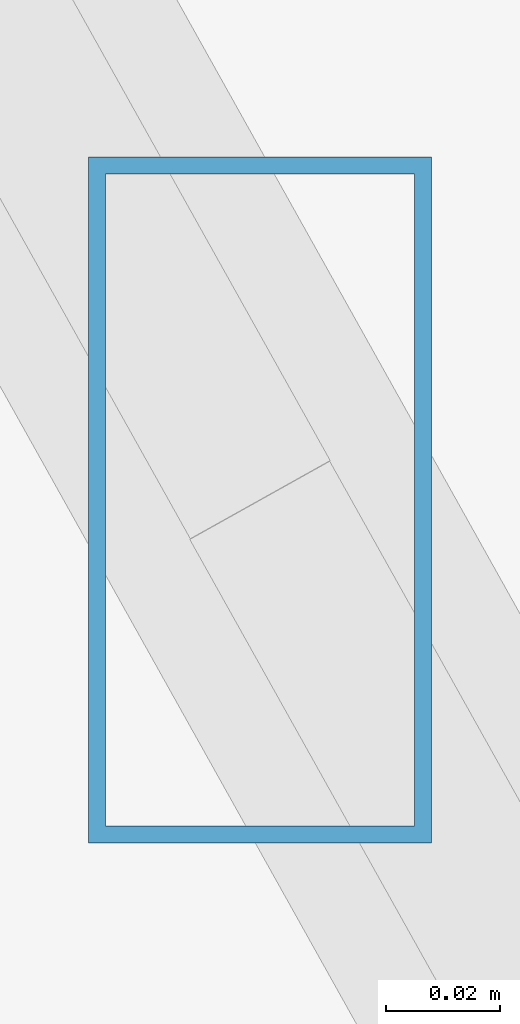
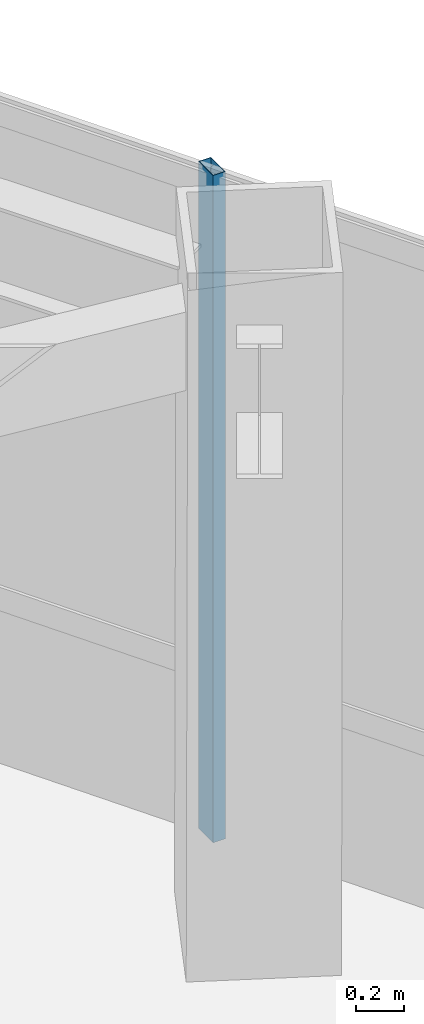
# One storey, part 23 of 45: 1 member, 1 element without a shape of its own.
"""IFC4 building model written with IfcOpenShell, lengths in metres."""

from ifc_helpers import new_model, si_unit, direction, frame, origin, origin_2d, place, context, subcontext, project, spatial, hollow_rectangle, extrude, source, transform, mapped, material, material_profile, profile_set, type_object, type_shapes, element, aggregate, save


model = new_model("IFC4")

# Units and contexts
model_context = context("Model", 3, precision=1e-05, world=origin(), true_north=direction((0.0, 1.0)))
body_context = subcontext(model_context, "Body", "Model", "MODEL_VIEW")
ifc_project = project(units=[si_unit("LENGTHUNIT", "METRE"), si_unit("AREAUNIT", "SQUARE_METRE"), si_unit("VOLUMEUNIT", "CUBIC_METRE"), si_unit("PLANEANGLEUNIT", "RADIAN"), si_unit("MASSUNIT", "GRAM", prefix="KILO")], contexts=[model_context])

# Site, building, storey
site_placement = place(None, origin())
site = spatial("IfcSite", under=ifc_project, at=site_placement, CompositionType="ELEMENT")
building_placement = place(site_placement, origin())
building = spatial("IfcBuilding", under=site, at=building_placement, Name="Caelisora Broadcast Tower", CompositionType="ELEMENT")
storey_placement = place(building_placement, frame((0.0, 0.0, 262.699951171875)))
storey = spatial("IfcBuildingStorey", under=building, at=storey_placement, Name="L69", CompositionType="ELEMENT", Elevation=262.699951171875)

# Curtain wall, member
ifc_material_1 = material(Name="Unitised Aluminium and Low-E Glass Curtain Wall", Category="glass")
curtain_wall_type = type_object("IfcCurtainWallType", Name="CW-Z5", PredefinedType="NOTDEFINED", material=ifc_material_1)
curtain_wall_placement = place(storey_placement, origin())
curtain_wall = element("IfcCurtainWall", 1, at=curtain_wall_placement, inside=storey, type_object=curtain_wall_type, Name="L69 curtain wall CW-Z5", PredefinedType="NOTDEFINED")
ifc_material_2 = material(Name="Aluminium 6063-T6 Anodised Terracotta Bronze", Category="aluminium")
ifc_material_profile = material_profile(ifc_material_2, hollow_rectangle(XDim=0.06005859375, YDim=0.1201171875, WallThickness=0.0029296875, at=origin_2d()), Name="Aluminium 6063-T6 Anodised Terracotta Bronze")
ifc_profile_set = profile_set([ifc_material_profile], Name="Aluminium 6063-T6 Anodised Terracotta Bronze")
member_type = type_object("IfcMemberType", Name="CWM-04", PredefinedType="MULLION", material=ifc_profile_set)
shared_shape = source(origin(), body_context, "Body", "SweptSolid", [
    extrude(hollow_rectangle(XDim=0.06005859375, YDim=0.1201171875, WallThickness=0.0029296875, at=origin_2d()), origin(), (0.0, 0.0, 1.0), 3.400146484375),
])
type_shapes(member_type, [shared_shape])
member_placement = place(storey_placement, frame((59.693359375, 16.58642578125, 0.0), z_axis=(0.0, 0.0, 1.0), x_axis=(1.0, 0.0, 0.0)))
member = element("IfcMember", 2, at=member_placement, type_object=member_type, Name="L69-CW-B03 mullion #2", PredefinedType="MULLION", context=body_context, shape_type="MappedRepresentation", body=[
    mapped(shared_shape, transform((0.0, 0.0, 0.0), scale=1.0)),
])
aggregate(curtain_wall, [member])

save(model, "model.ifc")
